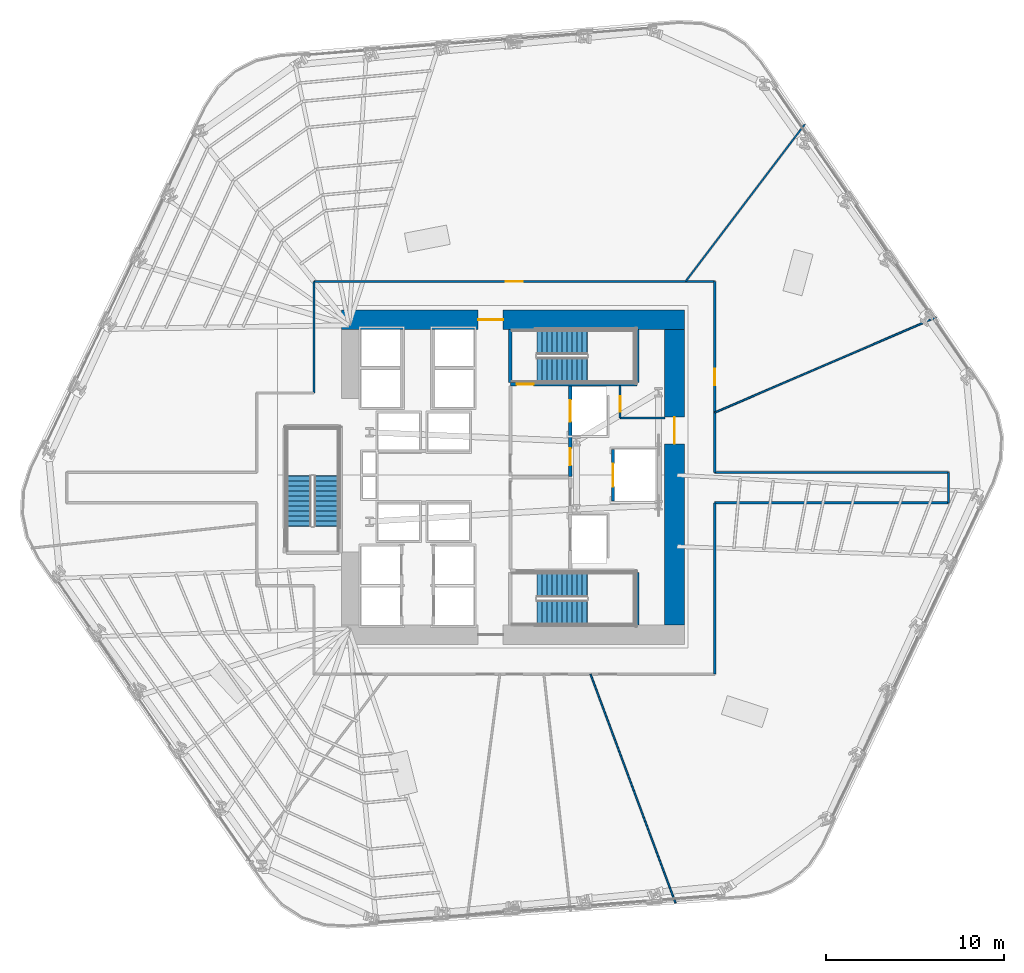
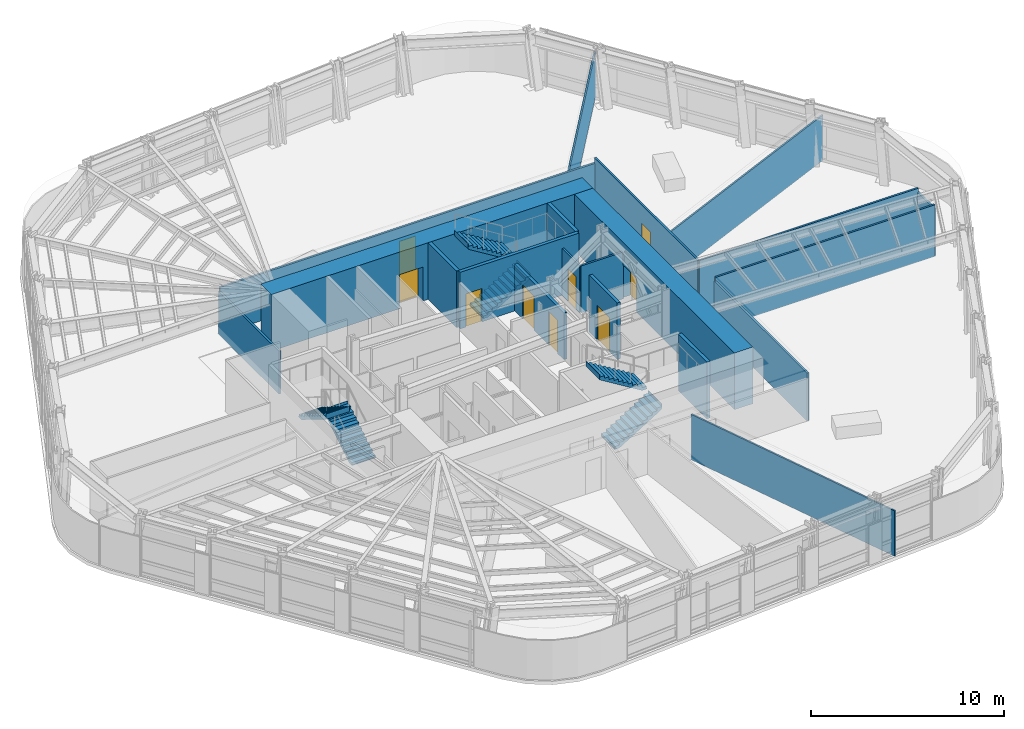
# One storey, part 9 of 15: 20 walls, 9 doors, 6 stair flights, 9 openings, 3 elements without a shape of their own.
"""IFC4 building model written with IfcOpenShell, lengths in metres."""

from ifc_helpers import new_model, si_unit, direction, frame, frame_2d, origin, place, context, subcontext, project, spatial, polyline, rectangle, outline, extrude, material, layer, layer_set, type_object, element, fill, aggregate, save


model = new_model("IFC4")

# Units and contexts
model_context = context("Model", 3, precision=1e-05, world=origin(), true_north=direction((0.0, 1.0)))
body_context = subcontext(model_context, "Body", "Model", "MODEL_VIEW")
ifc_project = project(units=[si_unit("LENGTHUNIT", "METRE"), si_unit("AREAUNIT", "SQUARE_METRE"), si_unit("VOLUMEUNIT", "CUBIC_METRE"), si_unit("PLANEANGLEUNIT", "RADIAN"), si_unit("MASSUNIT", "GRAM", prefix="KILO")], contexts=[model_context])

# Site, building, storey
site_placement = place(None, origin())
site = spatial("IfcSite", under=ifc_project, at=site_placement, CompositionType="ELEMENT")
building_placement = place(site_placement, origin())
building = spatial("IfcBuilding", under=site, at=building_placement, Name="Valkerne Bourse Tower", CompositionType="ELEMENT")
storey_placement = place(building_placement, frame((0.0, 0.0, 43.0)))
storey = spatial("IfcBuildingStorey", under=building, at=storey_placement, Name="L10", CompositionType="ELEMENT", Elevation=43.0)

# Wall, opening, door
ifc_material_1 = material(Name="Concrete C70/85", Category="concrete")
ifc_layer_1 = layer(ifc_material_1, 1.10009765625)
ifc_layer_set_1 = layer_set([ifc_layer_1], Name="Concrete C70/85")
wall_type_1 = type_object("IfcWallType", Name="W-CORE-1100", PredefinedType="SHEAR", material=ifc_layer_set_1)
wall_1_placement = place(storey_placement, frame((37.199951171875, 35.699951171875, 0.0), z_axis=(0.0, 0.0, 1.0), x_axis=(1.0, 0.0, 0.0)))
wall_1 = element("IfcWall", 1, at=wall_1_placement, inside=storey, type_object=wall_type_1, Name="L10 Core Shear Wall NORTH", PredefinedType="SHEAR", context=body_context, shape_type="SweptSolid", body=[
    extrude(rectangle(XDim=19.199951171875, YDim=1.10009765625, at=frame_2d((9.60009765625, 0.0))), origin(), (0.0, 0.0, 1.0), 3.580078125),
])
opening_1_placement = place(wall_1_placement, frame((7.64990234375, 0.0, 0.0)))
opening_1 = element("IfcOpeningElement", 2, at=opening_1_placement, cuts=wall_1, Name="Opening D-PL-1400", PredefinedType="OPENING", context=body_context, shape_type="SweptSolid", body=[
    extrude(rectangle(XDim=1.39990234375, YDim=2.14990234375, at=frame_2d((0.699951171875, 1.074951171875))), frame((0.0, 0.56005859375, 0.0), z_axis=(0.0, -1.0, 0.0), x_axis=(1.0, 0.0, 0.0)), (0.0, 0.0, 1.0), 1.1201171875),
])
ifc_material_2 = material(Name="Galvanised Painted Steel", Category="steel")
door_type_1 = type_object("IfcDoorType", Name="DR-PLT-1400", OperationType="DOUBLE_DOOR_SINGLE_SWING", PredefinedType="DOOR", material=ifc_material_2)
door_1_placement = place(opening_1_placement, origin())
door_1 = element("IfcDoor", 3, at=door_1_placement, inside=storey, type_object=door_type_1, Name="L10 North Passenger Lift Hall Fire Door", OperationType="DOUBLE_DOOR_SINGLE_SWING", OverallHeight=2.14990234375, OverallWidth=1.39990234375, PredefinedType="DOOR", context=body_context, shape_type="SweptSolid", body=[
    extrude(rectangle(XDim=1.39990234375, YDim=2.14990234375, at=frame_2d((0.699951171875, 1.074951171875))), frame((0.0, 0.02490234375, 0.0), z_axis=(0.0, -1.0, 0.0), x_axis=(1.0, 0.0, 0.0)), (0.0, 0.0, 1.0), 0.050048828125),
])
fill(opening_1, door_1)

wall_2_placement = place(storey_placement, frame((55.85009765625, 18.60009765625, 0.0), z_axis=(0.0, 0.0, 1.0), x_axis=(0.0, 1.0, 0.0)))
wall_2 = element("IfcWall", 4, at=wall_2_placement, inside=storey, type_object=wall_type_1, Name="L10 Core Shear Wall EAST", PredefinedType="SHEAR", context=body_context, shape_type="SweptSolid", body=[
    extrude(rectangle(XDim=16.5498046875, YDim=1.10009765625, at=frame_2d((8.27490234375, 0.0))), origin(), (0.0, 0.0, 1.0), 3.580078125),
])
opening_2_placement = place(wall_2_placement, frame((10.14990234375, 0.0, 0.0)))
opening_2 = element("IfcOpeningElement", 5, at=opening_2_placement, cuts=wall_2, Name="Opening D-CR-1500", PredefinedType="OPENING", context=body_context, shape_type="SweptSolid", body=[
    extrude(rectangle(XDim=1.5, YDim=2.14990234375, at=frame_2d((0.75, 1.074951171875))), frame((0.0, 0.56005859375, 0.0), z_axis=(0.0, -1.0, 0.0), x_axis=(1.0, 0.0, 0.0)), (0.0, 0.0, 1.0), 1.1201171875),
])
door_type_2 = type_object("IfcDoorType", Name="DR-CORR-1500", OperationType="DOUBLE_DOOR_SINGLE_SWING", PredefinedType="DOOR", material=ifc_material_2)
door_2_placement = place(opening_2_placement, origin())
door_2 = element("IfcDoor", 6, at=door_2_placement, inside=storey, type_object=door_type_2, Name="L10 East Core Service Lobby Fire Door", OperationType="DOUBLE_DOOR_SINGLE_SWING", OverallHeight=2.14990234375, OverallWidth=1.5, PredefinedType="DOOR", context=body_context, shape_type="SweptSolid", body=[
    extrude(rectangle(XDim=1.5, YDim=2.14990234375, at=frame_2d((0.75, 1.074951171875))), frame((0.0, 0.02490234375, 0.0), z_axis=(0.0, -1.0, 0.0), x_axis=(1.0, 0.0, 0.0)), (0.0, 0.0, 1.0), 0.050048828125),
])
fill(opening_2, door_2)

ifc_material_3 = material(Name="Gypsum Board Steel-Stud Partition", Category="steel")
ifc_layer_2 = layer(ifc_material_3, 0.117919921875)
ifc_layer_set_2 = layer_set([ifc_layer_2], Name="Gypsum Board Steel-Stud Partition")
wall_type_2 = type_object("IfcWallType", Name="W-CORR-140", PredefinedType="PARTITIONING", material=ifc_layer_set_2)
wall_3_placement = place(storey_placement, frame((52.800048828125, 30.199951171875, 0.0), z_axis=(0.0, 0.0, 1.0), x_axis=(0.0, 1.0, 0.0)))
wall_3 = element("IfcWall", 7, at=wall_3_placement, inside=storey, type_object=wall_type_2, Name="L10 Core NE Bay West Wall", PredefinedType="PARTITIONING", context=body_context, shape_type="SweptSolid", body=[
    extrude(rectangle(XDim=1.820068359375, YDim=0.117919921875, at=frame_2d((0.91015625, 0.0))), origin(), (0.0, 0.0, 1.0), 2.9580078125),
])
opening_3_placement = place(wall_3_placement, frame((0.35009765625, 0.0, 0.0)))
opening_3 = element("IfcOpeningElement", 8, at=opening_3_placement, cuts=wall_3, Name="Opening D-WC-900", PredefinedType="OPENING", context=body_context, shape_type="SweptSolid", body=[
    extrude(rectangle(XDim=0.860107421875, YDim=2.050048828125, at=frame_2d((0.43017578125, 1.02490234375))), frame((0.0, 0.06884765625, 0.0), z_axis=(0.0, -1.0, 0.0), x_axis=(1.0, 0.0, 0.0)), (0.0, 0.0, 1.0), 0.137939453125),
])
ifc_material_4 = material(Name="Architectural White Oak Timber", Category="wood")
door_type_3 = type_object("IfcDoorType", Name="DR-WC-900", OperationType="NOTDEFINED", PredefinedType="DOOR", material=ifc_material_4)
door_3_placement = place(opening_3_placement, origin())
door_3 = element("IfcDoor", 9, at=door_3_placement, inside=storey, type_object=door_type_3, Name="L10 Electrical Closet Door", OperationType="SINGLE_SWING_LEFT", OverallHeight=2.050048828125, OverallWidth=0.860107421875, PredefinedType="DOOR", context=body_context, shape_type="SweptSolid", body=[
    extrude(rectangle(XDim=0.860107421875, YDim=2.050048828125, at=frame_2d((0.43017578125, 1.02490234375))), frame((0.0, 0.02490234375, 0.0), z_axis=(0.0, -1.0, 0.0), x_axis=(1.0, 0.0, 0.0)), (0.0, 0.0, 1.0), 0.050048828125),
])
fill(opening_3, door_3)

# Walls
wall_4_placement = place(storey_placement, frame((52.800048828125, 30.199951171875, 0.0), z_axis=(0.0, 0.0, 1.0), x_axis=(1.0, 0.0, 0.0)))
element("IfcWall", 10, at=wall_4_placement, inside=storey, type_object=wall_type_2, Name="L10 Core NE Bay South Wall", PredefinedType="PARTITIONING", context=body_context, shape_type="SweptSolid", body=[
    extrude(rectangle(XDim=2.52001953125, YDim=0.117919921875, at=frame_2d((1.260009765625, 0.0))), origin(), (0.0, 0.0, 1.0), 2.9580078125),
])
wall_5_placement = place(storey_placement, frame((58.10009765625, 27.14990234375, 0.0), z_axis=(0.0, 0.0, 1.0), x_axis=(1.0, 0.0, 0.0)))
element("IfcWall", 11, at=wall_5_placement, inside=storey, type_object=wall_type_2, Name="L10 Corridor Enclosure Wall", PredefinedType="PARTITIONING", context=body_context, shape_type="SweptSolid", body=[
    extrude(rectangle(XDim=13.099853515625, YDim=0.117919921875, at=frame_2d((6.5498046875, 0.0))), origin(), (0.0, 0.0, 1.0), 3.280029296875),
])
wall_6_placement = place(storey_placement, frame((71.199951171875, 27.14990234375, 0.0), z_axis=(0.0, 0.0, 1.0), x_axis=(0.0, -1.0, 0.0)))
element("IfcWall", 12, at=wall_6_placement, inside=storey, type_object=wall_type_2, Name="L10 Corridor Enclosure Wall", PredefinedType="PARTITIONING", context=body_context, shape_type="SweptSolid", body=[
    extrude(rectangle(XDim=1.699951171875, YDim=0.117919921875, at=frame_2d((0.85009765625, 0.0))), origin(), (0.0, 0.0, 1.0), 3.03662109375),
])
wall_7_placement = place(storey_placement, frame((71.199951171875, 25.449951171875, 0.0), z_axis=(0.0, 0.0, 1.0), x_axis=(-1.0, 0.0, 0.0)))
element("IfcWall", 13, at=wall_7_placement, inside=storey, type_object=wall_type_2, Name="L10 Corridor Enclosure Wall", PredefinedType="PARTITIONING", context=body_context, shape_type="SweptSolid", body=[
    extrude(rectangle(XDim=13.099853515625, YDim=0.117919921875, at=frame_2d((6.5498046875, 0.0))), origin(), (0.0, 0.0, 1.0), 3.260009765625),
])
wall_8_placement = place(storey_placement, frame((58.10009765625, 25.449951171875, 0.0), z_axis=(0.0, 0.0, 1.0), x_axis=(0.0, -1.0, 0.0)))
element("IfcWall", 14, at=wall_8_placement, inside=storey, type_object=wall_type_2, Name="L10 Corridor Enclosure Wall", PredefinedType="PARTITIONING", context=body_context, shape_type="SweptSolid", body=[
    extrude(rectangle(XDim=9.599853515625, YDim=0.117919921875, at=frame_2d((4.7998046875, 0.0))), origin(), (0.0, 0.0, 1.0), 3.021484375),
])
wall_9_placement = place(storey_placement, frame((35.64990234375, 31.60009765625, 0.0), z_axis=(0.0, 0.0, 1.0), x_axis=(0.0, 1.0, 0.0)))
element("IfcWall", 15, at=wall_9_placement, inside=storey, type_object=wall_type_2, Name="L10 Corridor Enclosure Wall", PredefinedType="PARTITIONING", context=body_context, shape_type="SweptSolid", body=[
    extrude(rectangle(XDim=6.25, YDim=0.117919921875, at=frame_2d((3.125, 0.0))), origin(), (0.0, 0.0, 1.0), 2.71142578125),
])

# Wall, opening, door
wall_10_placement = place(storey_placement, frame((35.64990234375, 37.85009765625, 0.0), z_axis=(0.0, 0.0, 1.0), x_axis=(1.0, 0.0, 0.0)))
wall_10 = element("IfcWall", 16, at=wall_10_placement, inside=storey, type_object=wall_type_2, Name="L10 Corridor Enclosure Wall", PredefinedType="PARTITIONING", context=body_context, shape_type="SweptSolid", body=[
    extrude(rectangle(XDim=22.4501953125, YDim=0.117919921875, at=frame_2d((11.22509765625, 0.0))), origin(), (0.0, 0.0, 1.0), 2.962890625),
])
opening_4_placement = place(wall_10_placement, frame((10.75, 0.0, 0.0)))
opening_4 = element("IfcOpeningElement", 17, at=opening_4_placement, cuts=wall_10, Name="Opening D-OF-950", PredefinedType="OPENING", context=body_context, shape_type="SweptSolid", body=[
    extrude(rectangle(XDim=0.949951171875, YDim=2.10009765625, at=frame_2d((0.47509765625, 1.050048828125))), frame((0.0, 0.06884765625, 0.0), z_axis=(0.0, -1.0, 0.0), x_axis=(1.0, 0.0, 0.0)), (0.0, 0.0, 1.0), 0.137939453125),
])
door_type_4 = type_object("IfcDoorType", Name="DR-OFF-950", OperationType="NOTDEFINED", PredefinedType="DOOR", material=ifc_material_4)
door_4_placement = place(opening_4_placement, origin())
door_4 = element("IfcDoor", 18, at=door_4_placement, inside=storey, type_object=door_type_4, Name="L10 L10 Executive Advisory Suite Office 7 Door", OperationType="SINGLE_SWING_RIGHT", OverallHeight=2.10009765625, OverallWidth=0.949951171875, PredefinedType="DOOR", context=body_context, shape_type="SweptSolid", body=[
    extrude(rectangle(XDim=0.949951171875, YDim=2.10009765625, at=frame_2d((0.47509765625, 1.050048828125))), frame((0.0, 0.02490234375, 0.0), z_axis=(0.0, -1.0, 0.0), x_axis=(1.0, 0.0, 0.0)), (0.0, 0.0, 1.0), 0.050048828125),
])
fill(opening_4, door_4)

wall_11_placement = place(storey_placement, frame((58.10009765625, 37.85009765625, 0.0), z_axis=(0.0, 0.0, 1.0), x_axis=(0.0, -1.0, 0.0)))
wall_11 = element("IfcWall", 19, at=wall_11_placement, inside=storey, type_object=wall_type_2, Name="L10 Corridor Enclosure Wall", PredefinedType="PARTITIONING", context=body_context, shape_type="SweptSolid", body=[
    extrude(rectangle(XDim=10.7001953125, YDim=0.117919921875, at=frame_2d((5.35009765625, 0.0))), origin(), (0.0, 0.0, 1.0), 3.280029296875),
])
opening_5_placement = place(wall_11_placement, frame((4.875, 0.0, 0.0)))
opening_5 = element("IfcOpeningElement", 20, at=opening_5_placement, cuts=wall_11, Name="Opening D-OF-950", PredefinedType="OPENING", context=body_context, shape_type="SweptSolid", body=[
    extrude(rectangle(XDim=0.949951171875, YDim=2.10009765625, at=frame_2d((0.47509765625, 1.050048828125))), frame((0.0, 0.06884765625, 0.0), z_axis=(0.0, -1.0, 0.0), x_axis=(1.0, 0.0, 0.0)), (0.0, 0.0, 1.0), 0.137939453125),
])
door_5_placement = place(opening_5_placement, origin())
door_5 = element("IfcDoor", 21, at=door_5_placement, inside=storey, type_object=door_type_4, Name="L10 L10 Member Collaboration Club Salon 3 Door", OperationType="SINGLE_SWING_LEFT", OverallHeight=2.10009765625, OverallWidth=0.949951171875, PredefinedType="DOOR", context=body_context, shape_type="SweptSolid", body=[
    extrude(rectangle(XDim=0.949951171875, YDim=2.10009765625, at=frame_2d((0.47509765625, 1.050048828125))), frame((0.0, 0.02490234375, 0.0), z_axis=(0.0, -1.0, 0.0), x_axis=(1.0, 0.0, 0.0)), (0.0, 0.0, 1.0), 0.050048828125),
])
fill(opening_5, door_5)

# Wall, openings, doors
ifc_material_5 = material(Name="Gypsum Fire-Rated Shaftwall", Category="gypsum")
ifc_layer_3 = layer(ifc_material_5, 0.179931640625)
ifc_layer_set_3 = layer_set([ifc_layer_3], Name="Gypsum Fire-Rated Shaftwall")
wall_type_3 = type_object("IfcWallType", Name="W-FSAE-180", PredefinedType="PARTITIONING", material=ifc_layer_set_3)
wall_12_placement = place(storey_placement, frame((50.0, 26.919921875, 0.0), z_axis=(0.0, 0.0, 1.0), x_axis=(0.0, 1.0, 0.0)))
wall_12 = element("IfcWall", 22, at=wall_12_placement, inside=storey, type_object=wall_type_3, Name="L10 FSAE-2 Lobby & Shaft Front Wall", PredefinedType="PARTITIONING", context=body_context, shape_type="SweptSolid", body=[
    extrude(rectangle(XDim=5.080078125, YDim=0.179931640625, at=frame_2d((2.5400390625, 0.0))), origin(), (0.0, 0.0, 1.0), 2.9580078125),
])
opening_6_placement = place(wall_12_placement, frame((3.080078125, 0.0, 0.0)))
opening_6 = element("IfcOpeningElement", 23, at=opening_6_placement, cuts=wall_12, Name="Opening LD-1200", PredefinedType="OPENING", context=body_context, shape_type="SweptSolid", body=[
    extrude(rectangle(XDim=1.199951171875, YDim=2.14990234375, at=frame_2d((0.60009765625, 1.074951171875))), frame((0.0, 0.099853515625, 0.0), z_axis=(0.0, -1.0, 0.0), x_axis=(1.0, 0.0, 0.0)), (0.0, 0.0, 1.0), 0.199951171875),
])
opening_7_placement = place(wall_12_placement, frame((0.6298828125, 0.0, 0.0)))
opening_7 = element("IfcOpeningElement", 24, at=opening_7_placement, cuts=wall_12, Name="Opening D-FS-950", PredefinedType="OPENING", context=body_context, shape_type="SweptSolid", body=[
    extrude(rectangle(XDim=0.949951171875, YDim=2.10009765625, at=frame_2d((0.47509765625, 1.050048828125))), frame((0.0, 0.099853515625, 0.0), z_axis=(0.0, -1.0, 0.0), x_axis=(1.0, 0.0, 0.0)), (0.0, 0.0, 1.0), 0.199951171875),
])
door_type_5 = type_object("IfcDoorType", Name="DR-FSAE-950", OperationType="NOTDEFINED", PredefinedType="DOOR", material=ifc_material_2)
door_6_placement = place(opening_7_placement, origin())
door_6 = element("IfcDoor", 25, at=door_6_placement, inside=storey, type_object=door_type_5, Name="L10 FSAE-2 Lobby Corridor Fire Door", OperationType="SINGLE_SWING_LEFT", OverallHeight=2.10009765625, OverallWidth=0.949951171875, PredefinedType="DOOR", context=body_context, shape_type="SweptSolid", body=[
    extrude(rectangle(XDim=0.949951171875, YDim=2.10009765625, at=frame_2d((0.47509765625, 1.050048828125))), frame((0.0, 0.02490234375, 0.0), z_axis=(0.0, -1.0, 0.0), x_axis=(1.0, 0.0, 0.0)), (0.0, 0.0, 1.0), 0.050048828125),
])
fill(opening_7, door_6)
ifc_material_6 = material(Name="Stainless Steel AISI 316", Category="steel")
door_type_6 = type_object("IfcDoorType", Name="DR-LIFT-1200", OperationType="DOUBLE_DOOR_SLIDING", PredefinedType="DOOR", material=ifc_material_6)
door_7_placement = place(opening_6_placement, origin())
door_7 = element("IfcDoor", 26, at=door_7_placement, inside=storey, type_object=door_type_6, Name="L10 FSAE-2 Firefighting Lift Landing Door", OperationType="DOUBLE_DOOR_SLIDING", OverallHeight=2.14990234375, OverallWidth=1.199951171875, PredefinedType="DOOR", context=body_context, shape_type="SweptSolid", body=[
    extrude(rectangle(XDim=1.199951171875, YDim=2.14990234375, at=frame_2d((0.60009765625, 1.074951171875))), frame((0.0, 0.02490234375, 0.0), z_axis=(0.0, -1.0, 0.0), x_axis=(1.0, 0.0, 0.0)), (0.0, 0.0, 1.0), 0.050048828125),
])
fill(opening_6, door_7)

# Wall, opening, door
ifc_material_7 = material(Name="CMU Blockwork Masonry 200mm", Category="masonry")
ifc_layer_4 = layer(ifc_material_7, 0.179931640625)
ifc_layer_set_4 = layer_set([ifc_layer_4], Name="CMU Blockwork Masonry 200mm")
wall_type_4 = type_object("IfcWallType", Name="W-LFT-180", PredefinedType="SOLIDWALL", material=ifc_layer_set_4)
wall_13_placement = place(storey_placement, frame((52.39990234375, 25.550048828125, 0.0), z_axis=(0.0, 0.0, 1.0), x_axis=(0.0, 1.0, 0.0)))
wall_13 = element("IfcWall", 27, at=wall_13_placement, inside=storey, type_object=wall_type_4, Name="L10 Service Lift SV-1 Front Wall", PredefinedType="SOLIDWALL", context=body_context, shape_type="SweptSolid", body=[
    extrude(rectangle(XDim=2.89990234375, YDim=0.179931640625, at=frame_2d((1.449951171875, 0.0))), origin(), (0.0, 0.0, 1.0), 3.580078125),
])
opening_8_placement = place(wall_13_placement, frame((0.800048828125, 0.0, 0.0)))
opening_8 = element("IfcOpeningElement", 28, at=opening_8_placement, cuts=wall_13, Name="Opening LD-1300", PredefinedType="OPENING", context=body_context, shape_type="SweptSolid", body=[
    extrude(rectangle(XDim=1.300048828125, YDim=2.14990234375, at=frame_2d((0.64990234375, 1.074951171875))), frame((0.0, 0.099853515625, 0.0), z_axis=(0.0, -1.0, 0.0), x_axis=(1.0, 0.0, 0.0)), (0.0, 0.0, 1.0), 0.199951171875),
])
door_type_7 = type_object("IfcDoorType", Name="DR-LIFT-1300", OperationType="DOUBLE_DOOR_SLIDING", PredefinedType="DOOR", material=ifc_material_6)
door_8_placement = place(opening_8_placement, origin())
door_8 = element("IfcDoor", 29, at=door_8_placement, inside=storey, type_object=door_type_7, Name="L10 Service Lift SV-1 Landing Door", OperationType="DOUBLE_DOOR_SLIDING", OverallHeight=2.14990234375, OverallWidth=1.300048828125, PredefinedType="DOOR", context=body_context, shape_type="SweptSolid", body=[
    extrude(rectangle(XDim=1.300048828125, YDim=2.14990234375, at=frame_2d((0.64990234375, 1.074951171875))), frame((0.0, 0.02490234375, 0.0), z_axis=(0.0, -1.0, 0.0), x_axis=(1.0, 0.0, 0.0)), (0.0, 0.0, 1.0), 0.050048828125),
])
fill(opening_8, door_8)

# Walls
ifc_layer_5 = layer(ifc_material_3, 0.092041015625)
ifc_layer_set_5 = layer_set([ifc_layer_5], Name="Gypsum Board Steel-Stud Partition")
wall_type_5 = type_object("IfcWallType", Name="W-PART-115", PredefinedType="PARTITIONING", material=ifc_layer_set_5)
wall_14_placement = place(storey_placement, frame((51.139404296875, 15.844970703125, 0.0), z_axis=(0.0, 0.0, 1.0), x_axis=(0.348569897033, -0.937282789174, 0.0)))
element("IfcWall", 30, at=wall_14_placement, inside=storey, type_object=wall_type_5, Name="L10 Suite Partition P03", PredefinedType="PARTITIONING", context=body_context, shape_type="SweptSolid", body=[
    extrude(rectangle(XDim=13.669921875, YDim=0.092041015625, at=frame_2d((6.8349609375, 0.0))), origin(), (0.0, 0.0, 1.0), 2.86376953125),
])
wall_15_placement = place(storey_placement, frame((58.10498046875, 30.506591796875, 0.0), z_axis=(0.0, 0.0, 1.0), x_axis=(0.91855294408, 0.395297974852, 0.0)))
element("IfcWall", 31, at=wall_15_placement, inside=storey, type_object=wall_type_5, Name="L10 Suite Partition P04", PredefinedType="PARTITIONING", context=body_context, shape_type="SweptSolid", body=[
    extrude(rectangle(XDim=13.5029296875, YDim=0.092041015625, at=frame_2d((6.75146484375, 0.0))), origin(), (0.0, 0.0, 1.0), 2.86376953125),
])
wall_16_placement = place(storey_placement, frame((56.468994140625, 37.85498046875, 0.0), z_axis=(0.0, 0.0, 1.0), x_axis=(0.604381645516, 0.796694939461, 0.0)))
element("IfcWall", 32, at=wall_16_placement, inside=storey, type_object=wall_type_5, Name="L10 Suite Partition P05", PredefinedType="PARTITIONING", context=body_context, shape_type="SweptSolid", body=[
    extrude(rectangle(XDim=11.049560546875, YDim=0.092041015625, at=frame_2d((5.52490234375, 0.0))), origin(), (0.0, 0.0, 1.0), 2.86376953125),
])
ifc_material_8 = material(Name="Concrete C40/50", Category="concrete")
ifc_layer_6 = layer(ifc_material_8, 0.199951171875)
ifc_layer_set_6 = layer_set([ifc_layer_6], Name="Concrete C40/50")
wall_type_6 = type_object("IfcWallType", Name="W-SHF-200", PredefinedType="SHEAR", material=ifc_layer_set_6)
wall_17_placement = place(storey_placement, frame((53.75, 18.60009765625, 0.0), z_axis=(0.0, 0.0, 1.0), x_axis=(0.0, 1.0, 0.0)))
element("IfcWall", 33, at=wall_17_placement, inside=storey, type_object=wall_type_6, Name="L10 Exit Stair ST-1 Structural Shaft Wall East", PredefinedType="SHEAR", context=body_context, shape_type="SweptSolid", body=[
    extrude(rectangle(XDim=2.949951171875, YDim=0.199951171875, at=frame_2d((1.47509765625, 0.0))), origin(), (0.0, 0.0, 1.0), 3.580078125),
])

# Wall, opening, door
wall_18_placement = place(storey_placement, frame((46.64990234375, 32.10009765625, 0.0), z_axis=(0.0, 0.0, 1.0), x_axis=(1.0, 0.0, 0.0)))
wall_18 = element("IfcWall", 34, at=wall_18_placement, inside=storey, type_object=wall_type_6, Name="L10 Exit Stair ST-2 Structural Shaft Wall South", PredefinedType="SHEAR", context=body_context, shape_type="SweptSolid", body=[
    extrude(rectangle(XDim=7.10009765625, YDim=0.199951171875, at=frame_2d((3.550048828125, 0.0))), origin(), (0.0, 0.0, 1.0), 3.580078125),
])
opening_9_placement = place(wall_18_placement, frame((0.35009765625, 0.0, 0.0)))
opening_9 = element("IfcOpeningElement", 35, at=opening_9_placement, cuts=wall_18, Name="Opening D-ST-950", PredefinedType="OPENING", context=body_context, shape_type="SweptSolid", body=[
    extrude(rectangle(XDim=0.949951171875, YDim=2.10009765625, at=frame_2d((0.47509765625, 1.050048828125))), frame((0.0, 0.10986328125, 0.0), z_axis=(0.0, -1.0, 0.0), x_axis=(1.0, 0.0, 0.0)), (0.0, 0.0, 1.0), 0.219970703125),
])
door_type_8 = type_object("IfcDoorType", Name="DR-STAIR-950", OperationType="NOTDEFINED", PredefinedType="DOOR", material=ifc_material_2)
door_9_placement = place(opening_9_placement, origin())
door_9 = element("IfcDoor", 36, at=door_9_placement, inside=storey, type_object=door_type_8, Name="L10 Exit Stair ST-2 Door", OperationType="SINGLE_SWING_RIGHT", OverallHeight=2.10009765625, OverallWidth=0.949951171875, PredefinedType="DOOR", context=body_context, shape_type="SweptSolid", body=[
    extrude(rectangle(XDim=0.949951171875, YDim=2.10009765625, at=frame_2d((0.47509765625, 1.050048828125))), frame((0.0, 0.02490234375, 0.0), z_axis=(0.0, -1.0, 0.0), x_axis=(1.0, 0.0, 0.0)), (0.0, 0.0, 1.0), 0.050048828125),
])
fill(opening_9, door_9)

# Walls
for number, where, z_axis, x_axis, name in (
    (37, (46.64990234375, 32.199951171875, 0.0), (0.0, 0.0, 1.0), (0.0, 1.0, 0.0), "L10 Exit Stair ST-2 Structural Shaft Wall West"),
    (38, (53.75, 32.199951171875, 0.0), (0.0, 0.0, 1.0), (0.0, 1.0, 0.0), "L10 Exit Stair ST-2 Structural Shaft Wall East"),
):
    element("IfcWall", number, at=place(storey_placement, frame(where, z_axis=z_axis, x_axis=x_axis)), inside=storey, type_object=wall_type_6, Name=name, PredefinedType="SHEAR", context=body_context, shape_type="SweptSolid", body=[
        extrude(rectangle(XDim=2.949951171875, YDim=0.199951171875, at=frame_2d((1.47509765625, 0.0))), origin(), (0.0, 0.0, 1.0), 3.580078125),
    ])

# Stair, stair flights
stair_type = type_object("IfcStairType", Name="ST-CORE-1400", PredefinedType="HALF_TURN_STAIR", material=ifc_material_8)
stair_1_placement = place(storey_placement, origin())
stair_1 = element("IfcStair", 39, at=stair_1_placement, inside=storey, type_object=stair_type, Name="L10 ST-1", PredefinedType="HALF_TURN_STAIR")
stair_flight_type = type_object("IfcStairFlightType", Name="STF-CORE-1400", PredefinedType="STRAIGHT", material=ifc_material_8)
stair_flight_1_placement = place(storey_placement, frame((48.14990234375, 19.300048828125, 0.0), z_axis=(0.0, 0.0, 1.0), x_axis=(1.0, 0.0, 0.0)))
stair_flight_1 = element("IfcStairFlight", 40, at=stair_flight_1_placement, type_object=stair_flight_type, Name="ST-1 flight 1", NumberOfRisers=11, NumberOfTreads=10, PredefinedType="STRAIGHT", RiserHeight=0.172727273, TreadLength=0.28, context=body_context, shape_type="SweptSolid", body=[
    extrude(outline(polyline([(-0.02001953125, 0.0), (-0.02001953125, 0.044921875), (0.0, 0.044921875), (0.0, 0.172607421875), (0.280029296875, 0.172607421875), (0.280029296875, 0.345458984375), (0.56005859375, 0.345458984375), (0.56005859375, 0.51806640625), (0.840087890625, 0.51806640625), (0.840087890625, 0.69091796875), (1.1201171875, 0.69091796875), (1.1201171875, 0.863525390625), (1.39990234375, 0.863525390625), (1.39990234375, 1.036376953125), (1.679931640625, 1.036376953125), (1.679931640625, 1.208984375), (1.9599609375, 1.208984375), (1.9599609375, 1.3818359375), (2.239990234375, 1.3818359375), (2.239990234375, 1.554443359375), (2.52001953125, 1.554443359375), (2.52001953125, 1.727294921875), (2.800048828125, 1.727294921875), (2.800048828125, 1.89990234375), (2.820068359375, 1.89990234375), (2.820068359375, 1.780029296875), (2.800048828125, 1.551025390625), (0.285400390625, 0.0), (-0.02001953125, 0.0)])), frame((0.0, 0.699951171875, 0.0), z_axis=(0.0, -1.0, 0.0), x_axis=(1.0, 0.0, 0.0)), (0.0, 0.0, 1.0), 1.39990234375),
])
stair_flight_2_placement = place(storey_placement, frame((50.949951171875, 20.85009765625, 1.89990234375), z_axis=(0.0, 0.0, 1.0), x_axis=(-1.0, 0.0, 0.0)))
stair_flight_2 = element("IfcStairFlight", 41, at=stair_flight_2_placement, type_object=stair_flight_type, Name="ST-1 flight 2", NumberOfRisers=11, NumberOfTreads=10, PredefinedType="STRAIGHT", RiserHeight=0.172727273, TreadLength=0.28, context=body_context, shape_type="SweptSolid", body=[
    extrude(outline(polyline([(-0.02001953125, 0.0), (-0.02001953125, 0.044921875), (0.0, 0.044921875), (0.0, 0.172607421875), (0.280029296875, 0.172607421875), (0.280029296875, 0.345458984375), (0.56005859375, 0.345458984375), (0.56005859375, 0.51806640625), (0.840087890625, 0.51806640625), (0.840087890625, 0.69091796875), (1.1201171875, 0.69091796875), (1.1201171875, 0.863525390625), (1.39990234375, 0.863525390625), (1.39990234375, 1.036376953125), (1.679931640625, 1.036376953125), (1.679931640625, 1.208984375), (1.9599609375, 1.208984375), (1.9599609375, 1.3818359375), (2.239990234375, 1.3818359375), (2.239990234375, 1.554443359375), (2.52001953125, 1.554443359375), (2.52001953125, 1.727294921875), (2.800048828125, 1.727294921875), (2.800048828125, 1.89990234375), (2.820068359375, 1.89990234375), (2.820068359375, 1.780029296875), (2.800048828125, 1.551025390625), (0.285400390625, 0.0), (-0.02001953125, 0.0)])), frame((0.0, 0.699951171875, 0.0), z_axis=(0.0, -1.0, 0.0), x_axis=(1.0, 0.0, 0.0)), (0.0, 0.0, 1.0), 1.39990234375),
])
aggregate(stair_1, [stair_flight_1, stair_flight_2])

stair_2_placement = place(storey_placement, origin())
stair_2 = element("IfcStair", 42, at=stair_2_placement, inside=storey, type_object=stair_type, Name="L10 ST-2", PredefinedType="HALF_TURN_STAIR")
stair_flight_3_placement = place(storey_placement, frame((48.14990234375, 32.89990234375, 0.0), z_axis=(0.0, 0.0, 1.0), x_axis=(1.0, 0.0, 0.0)))
stair_flight_3 = element("IfcStairFlight", 43, at=stair_flight_3_placement, type_object=stair_flight_type, Name="ST-2 flight 1", NumberOfRisers=11, NumberOfTreads=10, PredefinedType="STRAIGHT", RiserHeight=0.172727273, TreadLength=0.28, context=body_context, shape_type="SweptSolid", body=[
    extrude(outline(polyline([(-0.02001953125, 0.0), (-0.02001953125, 0.044921875), (0.0, 0.044921875), (0.0, 0.172607421875), (0.280029296875, 0.172607421875), (0.280029296875, 0.345458984375), (0.56005859375, 0.345458984375), (0.56005859375, 0.51806640625), (0.840087890625, 0.51806640625), (0.840087890625, 0.69091796875), (1.1201171875, 0.69091796875), (1.1201171875, 0.863525390625), (1.39990234375, 0.863525390625), (1.39990234375, 1.036376953125), (1.679931640625, 1.036376953125), (1.679931640625, 1.208984375), (1.9599609375, 1.208984375), (1.9599609375, 1.3818359375), (2.239990234375, 1.3818359375), (2.239990234375, 1.554443359375), (2.52001953125, 1.554443359375), (2.52001953125, 1.727294921875), (2.800048828125, 1.727294921875), (2.800048828125, 1.89990234375), (2.820068359375, 1.89990234375), (2.820068359375, 1.780029296875), (2.800048828125, 1.551025390625), (0.285400390625, 0.0), (-0.02001953125, 0.0)])), frame((0.0, 0.699951171875, 0.0), z_axis=(0.0, -1.0, 0.0), x_axis=(1.0, 0.0, 0.0)), (0.0, 0.0, 1.0), 1.39990234375),
])
stair_flight_4_placement = place(storey_placement, frame((50.949951171875, 34.449951171875, 1.89990234375), z_axis=(0.0, 0.0, 1.0), x_axis=(-1.0, 0.0, 0.0)))
stair_flight_4 = element("IfcStairFlight", 44, at=stair_flight_4_placement, type_object=stair_flight_type, Name="ST-2 flight 2", NumberOfRisers=11, NumberOfTreads=10, PredefinedType="STRAIGHT", RiserHeight=0.172727273, TreadLength=0.28, context=body_context, shape_type="SweptSolid", body=[
    extrude(outline(polyline([(-0.02001953125, 0.0), (-0.02001953125, 0.044921875), (0.0, 0.044921875), (0.0, 0.172607421875), (0.280029296875, 0.172607421875), (0.280029296875, 0.345458984375), (0.56005859375, 0.345458984375), (0.56005859375, 0.51806640625), (0.840087890625, 0.51806640625), (0.840087890625, 0.69091796875), (1.1201171875, 0.69091796875), (1.1201171875, 0.863525390625), (1.39990234375, 0.863525390625), (1.39990234375, 1.036376953125), (1.679931640625, 1.036376953125), (1.679931640625, 1.208984375), (1.9599609375, 1.208984375), (1.9599609375, 1.3818359375), (2.239990234375, 1.3818359375), (2.239990234375, 1.554443359375), (2.52001953125, 1.554443359375), (2.52001953125, 1.727294921875), (2.800048828125, 1.727294921875), (2.800048828125, 1.89990234375), (2.820068359375, 1.89990234375), (2.820068359375, 1.780029296875), (2.800048828125, 1.551025390625), (0.285400390625, 0.0), (-0.02001953125, 0.0)])), frame((0.0, 0.699951171875, 0.0), z_axis=(0.0, -1.0, 0.0), x_axis=(1.0, 0.0, 0.0)), (0.0, 0.0, 1.0), 1.39990234375),
])
aggregate(stair_2, [stair_flight_3, stair_flight_4])

stair_3_placement = place(storey_placement, origin())
stair_3 = element("IfcStair", 45, at=stair_3_placement, inside=storey, type_object=stair_type, Name="L10 ST-3", PredefinedType="HALF_TURN_STAIR")
stair_flight_5_placement = place(storey_placement, frame((36.35009765625, 24.14990234375, 0.0), z_axis=(0.0, 0.0, 1.0), x_axis=(0.0, 1.0, 0.0)))
stair_flight_5 = element("IfcStairFlight", 46, at=stair_flight_5_placement, type_object=stair_flight_type, Name="ST-3 flight 1", NumberOfRisers=11, NumberOfTreads=10, PredefinedType="STRAIGHT", RiserHeight=0.172727273, TreadLength=0.28, context=body_context, shape_type="SweptSolid", body=[
    extrude(outline(polyline([(-0.02001953125, 0.0), (-0.02001953125, 0.044921875), (0.0, 0.044921875), (0.0, 0.172607421875), (0.280029296875, 0.172607421875), (0.280029296875, 0.345458984375), (0.56005859375, 0.345458984375), (0.56005859375, 0.51806640625), (0.840087890625, 0.51806640625), (0.840087890625, 0.69091796875), (1.1201171875, 0.69091796875), (1.1201171875, 0.863525390625), (1.39990234375, 0.863525390625), (1.39990234375, 1.036376953125), (1.679931640625, 1.036376953125), (1.679931640625, 1.208984375), (1.9599609375, 1.208984375), (1.9599609375, 1.3818359375), (2.239990234375, 1.3818359375), (2.239990234375, 1.554443359375), (2.52001953125, 1.554443359375), (2.52001953125, 1.727294921875), (2.800048828125, 1.727294921875), (2.800048828125, 1.89990234375), (2.820068359375, 1.89990234375), (2.820068359375, 1.780029296875), (2.800048828125, 1.551025390625), (0.285400390625, 0.0), (-0.02001953125, 0.0)])), frame((0.0, 0.699951171875, 0.0), z_axis=(0.0, -1.0, 0.0), x_axis=(1.0, 0.0, 0.0)), (0.0, 0.0, 1.0), 1.39990234375),
])
stair_flight_6_placement = place(storey_placement, frame((34.800048828125, 26.949951171875, 1.89990234375), z_axis=(0.0, 0.0, 1.0), x_axis=(0.0, -1.0, 0.0)))
stair_flight_6 = element("IfcStairFlight", 47, at=stair_flight_6_placement, type_object=stair_flight_type, Name="ST-3 flight 2", NumberOfRisers=11, NumberOfTreads=10, PredefinedType="STRAIGHT", RiserHeight=0.172727273, TreadLength=0.28, context=body_context, shape_type="SweptSolid", body=[
    extrude(outline(polyline([(-0.02001953125, 0.0), (-0.02001953125, 0.044921875), (0.0, 0.044921875), (0.0, 0.172607421875), (0.280029296875, 0.172607421875), (0.280029296875, 0.345458984375), (0.56005859375, 0.345458984375), (0.56005859375, 0.51806640625), (0.840087890625, 0.51806640625), (0.840087890625, 0.69091796875), (1.1201171875, 0.69091796875), (1.1201171875, 0.863525390625), (1.39990234375, 0.863525390625), (1.39990234375, 1.036376953125), (1.679931640625, 1.036376953125), (1.679931640625, 1.208984375), (1.9599609375, 1.208984375), (1.9599609375, 1.3818359375), (2.239990234375, 1.3818359375), (2.239990234375, 1.554443359375), (2.52001953125, 1.554443359375), (2.52001953125, 1.727294921875), (2.800048828125, 1.727294921875), (2.800048828125, 1.89990234375), (2.820068359375, 1.89990234375), (2.820068359375, 1.780029296875), (2.800048828125, 1.551025390625), (0.285400390625, 0.0), (-0.02001953125, 0.0)])), frame((0.0, 0.699951171875, 0.0), z_axis=(0.0, -1.0, 0.0), x_axis=(1.0, 0.0, 0.0)), (0.0, 0.0, 1.0), 1.39990234375),
])
aggregate(stair_3, [stair_flight_5, stair_flight_6])

save(model, "model.ifc")
